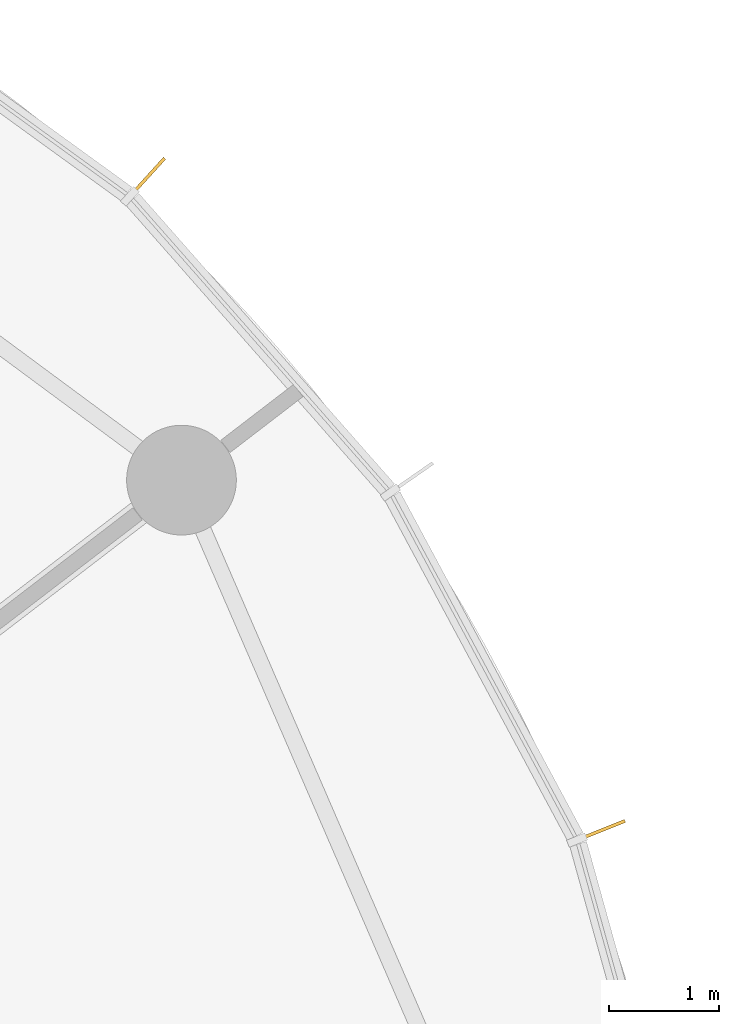
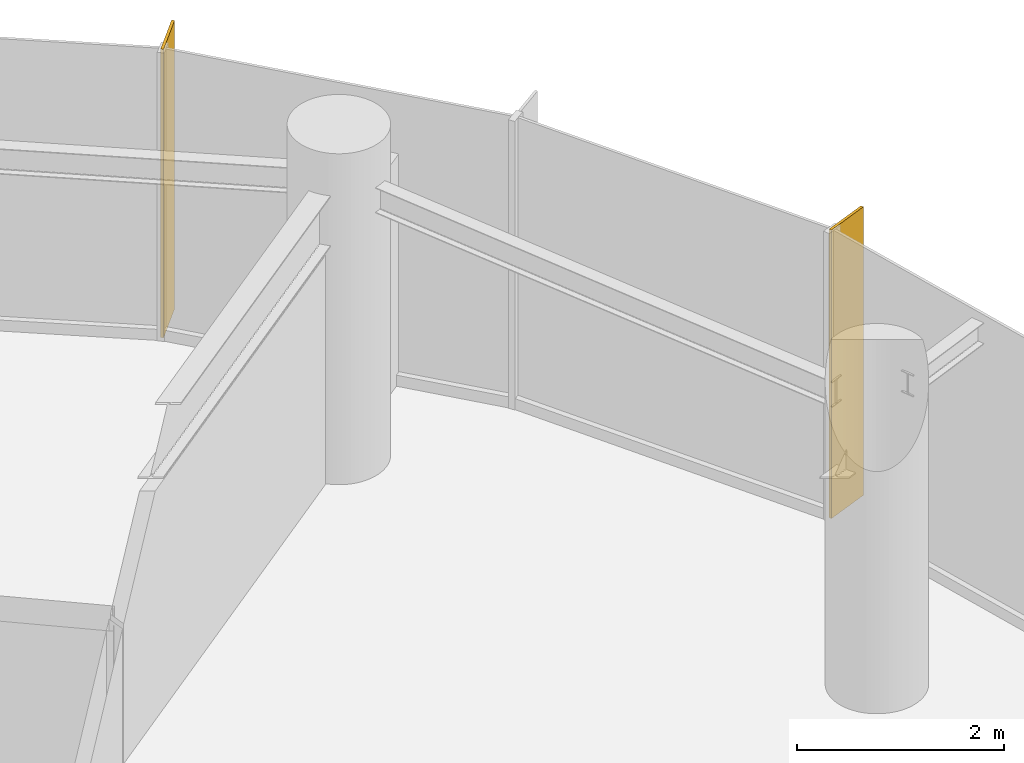
# One storey, part 15 of 15: 2 shading devices.
"""IFC4 building model written with IfcOpenShell, lengths in metres."""

from ifc_helpers import new_model, si_unit, direction, frame, origin, origin_2d, place, context, subcontext, project, spatial, rectangle, extrude, source, transform, mapped, material, material_profile, profile_set, type_object, element, save


model = new_model("IFC4")

# Units and contexts
model_context = context("Model", 3, precision=1e-05, world=origin(), true_north=direction((0.0, 1.0)))
body_context = subcontext(model_context, "Body", "Model", "MODEL_VIEW")
ifc_project = project(units=[si_unit("LENGTHUNIT", "METRE"), si_unit("AREAUNIT", "SQUARE_METRE"), si_unit("VOLUMEUNIT", "CUBIC_METRE"), si_unit("PLANEANGLEUNIT", "RADIAN"), si_unit("MASSUNIT", "GRAM", prefix="KILO")], contexts=[model_context])

# Site, building, storey
site_placement = place(None, origin())
site = spatial("IfcSite", under=ifc_project, at=site_placement, CompositionType="ELEMENT")
building_placement = place(site_placement, origin())
building = spatial("IfcBuilding", under=site, at=building_placement, Name="Spindrift Exchange Tower", CompositionType="ELEMENT")
storey_placement = place(building_placement, frame((0.0, 0.0, 176.0)))
storey = spatial("IfcBuildingStorey", under=building, at=storey_placement, Name="L42", CompositionType="ELEMENT", Elevation=176.0)

# Shading devices
ifc_material = material(Name="Bronze anodised aluminium", Category="aluminium")
ifc_material_profile = material_profile(ifc_material, rectangle(XDim=0.030029296875, YDim=0.5, at=origin_2d()), Name="WIND FIN 30X500")
ifc_profile_set = profile_set([ifc_material_profile], Name="Bronze anodised aluminium")
shading_device_type = type_object("IfcShadingDeviceType", Name="WIND FIN 30X500", PredefinedType="USERDEFINED", material=ifc_profile_set)
shared_shape = source(origin(), body_context, "Body", "SweptSolid", [
    extrude(rectangle(XDim=0.030029296875, YDim=0.5, at=origin_2d()), origin(), (0.0, 0.0, 1.0), 3.39990234375),
])
for number, where, z_axis, x_axis, name in (
    (1, (71.50341796875, 65.961181640625, 0.0), (0.0, 0.0, 1.0), (-0.739763813605, 0.672866628746, 0.0), "L42 wind fin 3"),
    (2, (75.63525390625, 60.014892578125, 0.0), (0.0, 0.0, 1.0), (-0.372631491543, 0.927979402525, 0.0), "L42 wind fin 4"),
):
    element("IfcShadingDevice", number, at=place(storey_placement, frame(where, z_axis=z_axis, x_axis=x_axis)), inside=storey, type_object=shading_device_type, Name=name, ObjectType="FIN", PredefinedType="USERDEFINED", context=body_context, shape_type="MappedRepresentation", body=[
        mapped(shared_shape, transform((0.0, 0.0, 0.0), scale=1.0)),
    ])

save(model, "model.ifc")
